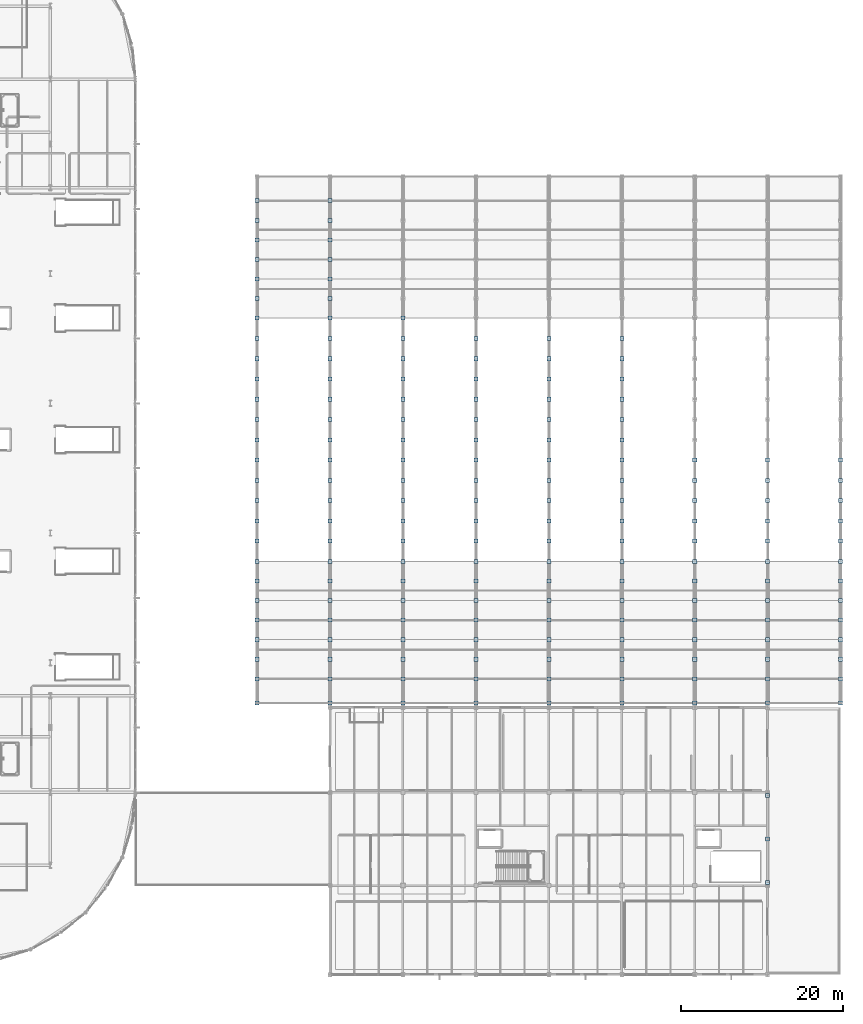
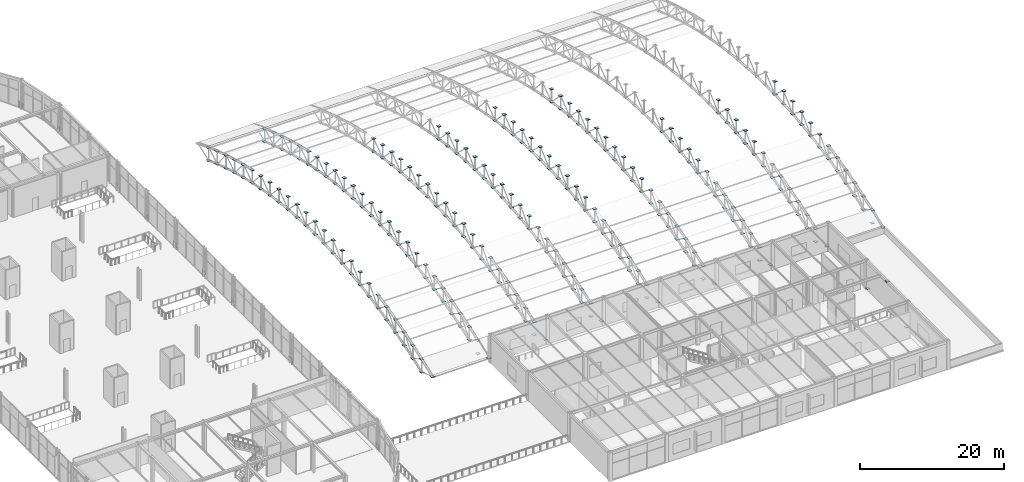
# One storey, part 106 of 195: 330 plates.
"""IFC4 building model written with IfcOpenShell, lengths in metres."""

from ifc_helpers import new_model, si_unit, direction, frame, origin, origin_2d, place, context, subcontext, project, spatial, rectangle, extrude, material, layer, layer_set, type_object, element, save


model = new_model("IFC4")

# Units and contexts
model_context = context("Model", 3, precision=1e-05, world=origin(), true_north=direction((0.0, 1.0)))
body_context = subcontext(model_context, "Body", "Model", "MODEL_VIEW")
ifc_project = project(units=[si_unit("LENGTHUNIT", "METRE"), si_unit("AREAUNIT", "SQUARE_METRE"), si_unit("VOLUMEUNIT", "CUBIC_METRE"), si_unit("PLANEANGLEUNIT", "RADIAN"), si_unit("MASSUNIT", "GRAM", prefix="KILO")], contexts=[model_context])

# Site, building, storey
site_placement = place(None, origin())
site = spatial("IfcSite", under=ifc_project, at=site_placement, CompositionType="ELEMENT")
building_placement = place(site_placement, origin())
building = spatial("IfcBuilding", under=site, at=building_placement, Name="Marlcrest Central Station", CompositionType="ELEMENT")
storey_placement = place(building_placement, frame((0.0, 0.0, 9.800048828125)))
storey = spatial("IfcBuildingStorey", under=building, at=storey_placement, Name="L02", CompositionType="ELEMENT", Elevation=9.800048828125)

# Plates
ifc_material = material(Name="Steel S355", Category="steel")
ifc_layer = layer(ifc_material, 0.02001953125, Name="GP-03")
ifc_layer_set = layer_set([ifc_layer], Name="Steel S355")
plate_type = type_object("IfcPlateType", Name="GP-03", PredefinedType="USERDEFINED", material=ifc_layer_set)
for number, where, z_axis, x_axis, name in (
    (1, (207.0, 11.39990234375, 0.18994140625), (0.0, 0.0, 1.0), (1.0, 0.0, 0.0), "plt-cap-00065"),
    (2, (207.0, 16.75, 4.659912109375), (0.0, 0.0, 1.0), (1.0, 0.0, 0.0), "plt-cap-00066"),
    (3, (207.0, 22.10009765625, 0.18994140625), (0.0, 0.0, 1.0), (1.0, 0.0, 0.0), "plt-cap-00067"),
    (4, (144.0, 33.5, 0.435791015625), (0.0, 0.0, 1.0), (1.0, 0.0, 0.0), "plt-cap-00581"),
    (5, (144.0, 36.5, 1.58984375), (0.0, 0.0, 1.0), (1.0, 0.0, 0.0), "plt-cap-00582"),
    (6, (144.0, 36.5, -0.610107421875), (0.0, 0.0, 1.0), (1.0, 0.0, 0.0), "plt-cap-00583"),
    (7, (144.0, 38.919921875, 0.239501953125), (0.0, 0.0, 1.0), (1.0, 0.0, 0.0), "plt-cap-00584"),
    (8, (144.0, 38.919921875, 2.439453125), (0.0, 0.0, 1.0), (1.0, 0.0, 0.0), "plt-cap-00585"),
    (9, (144.0, 41.330078125, 3.21337890625), (0.0, 0.0, 1.0), (1.0, 0.0, 0.0), "plt-cap-00586"),
    (10, (144.0, 41.330078125, 1.013427734375), (0.0, 0.0, 1.0), (1.0, 0.0, 0.0), "plt-cap-00587"),
    (11, (144.0, 43.75, 1.718017578125), (0.0, 0.0, 1.0), (1.0, 0.0, 0.0), "plt-cap-00588"),
    (12, (144.0, 43.75, 3.91796875), (0.0, 0.0, 1.0), (1.0, 0.0, 0.0), "plt-cap-00589"),
    (13, (144.0, 46.169921875, 4.550048828125), (0.0, 0.0, 1.0), (1.0, 0.0, 0.0), "plt-cap-00590"),
    (14, (144.0, 46.169921875, 2.349853515625), (0.0, 0.0, 1.0), (1.0, 0.0, 0.0), "plt-cap-00591"),
    (15, (144.0, 48.580078125, 2.906982421875), (0.0, 0.0, 1.0), (1.0, 0.0, 0.0), "plt-cap-00592"),
    (16, (144.0, 48.580078125, 5.10693359375), (0.0, 0.0, 1.0), (1.0, 0.0, 0.0), "plt-cap-00593"),
    (17, (144.0, 51.0, 5.59375), (0.0, 0.0, 1.0), (1.0, 0.0, 0.0), "plt-cap-00594"),
    (18, (144.0, 51.0, 3.393798828125), (0.0, 0.0, 1.0), (1.0, 0.0, 0.0), "plt-cap-00595"),
    (19, (144.0, 53.5, 3.820556640625), (0.0, 0.0, 1.0), (1.0, 0.0, 0.0), "plt-cap-00596"),
    (20, (144.0, 53.5, 6.0205078125), (0.0, 0.0, 1.0), (1.0, 0.0, 0.0), "plt-cap-00597"),
    (21, (144.0, 56.0, 6.369384765625), (0.0, 0.0, 1.0), (1.0, 0.0, 0.0), "plt-cap-00598"),
    (22, (144.0, 56.0, 4.16943359375), (0.0, 0.0, 1.0), (1.0, 0.0, 0.0), "plt-cap-00599"),
    (23, (144.0, 58.5, 4.44091796875), (0.0, 0.0, 1.0), (1.0, 0.0, 0.0), "plt-cap-00600"),
    (24, (144.0, 58.5, 6.640869140625), (0.0, 0.0, 1.0), (1.0, 0.0, 0.0), "plt-cap-00601"),
    (25, (144.0, 61.0, 6.8349609375), (0.0, 0.0, 1.0), (1.0, 0.0, 0.0), "plt-cap-00602"),
    (26, (144.0, 61.0, 4.634765625), (0.0, 0.0, 1.0), (1.0, 0.0, 0.0), "plt-cap-00603"),
    (27, (144.0, 63.5, 4.751220703125), (0.0, 0.0, 1.0), (1.0, 0.0, 0.0), "plt-cap-00604"),
    (28, (144.0, 63.5, 6.951171875), (0.0, 0.0, 1.0), (1.0, 0.0, 0.0), "plt-cap-00605"),
    (29, (144.0, 66.0, 6.989990234375), (0.0, 0.0, 1.0), (1.0, 0.0, 0.0), "plt-cap-00606"),
    (30, (144.0, 66.0, 4.7900390625), (0.0, 0.0, 1.0), (1.0, 0.0, 0.0), "plt-cap-00607"),
    (31, (144.0, 68.5, 4.751220703125), (0.0, 0.0, 1.0), (1.0, 0.0, 0.0), "plt-cap-00608"),
    (32, (144.0, 68.5, 6.951171875), (0.0, 0.0, 1.0), (1.0, 0.0, 0.0), "plt-cap-00609"),
    (33, (144.0, 71.0, 6.8349609375), (0.0, 0.0, 1.0), (1.0, 0.0, 0.0), "plt-cap-00610"),
    (34, (144.0, 71.0, 4.634765625), (0.0, 0.0, 1.0), (1.0, 0.0, 0.0), "plt-cap-00611"),
    (35, (144.0, 73.5, 4.44091796875), (0.0, 0.0, 1.0), (1.0, 0.0, 0.0), "plt-cap-00612"),
    (36, (144.0, 73.5, 6.640869140625), (0.0, 0.0, 1.0), (1.0, 0.0, 0.0), "plt-cap-00613"),
    (37, (144.0, 76.0, 6.369384765625), (0.0, 0.0, 1.0), (1.0, 0.0, 0.0), "plt-cap-00614"),
    (38, (144.0, 76.0, 4.16943359375), (0.0, 0.0, 1.0), (1.0, 0.0, 0.0), "plt-cap-00615"),
    (39, (144.0, 78.5, 3.820556640625), (0.0, 0.0, 1.0), (1.0, 0.0, 0.0), "plt-cap-00616"),
    (40, (144.0, 78.5, 6.0205078125), (0.0, 0.0, 1.0), (1.0, 0.0, 0.0), "plt-cap-00617"),
    (41, (144.0, 81.0, 5.59375), (0.0, 0.0, 1.0), (1.0, 0.0, 0.0), "plt-cap-00618"),
    (42, (144.0, 81.0, 3.393798828125), (0.0, 0.0, 1.0), (1.0, 0.0, 0.0), "plt-cap-00619"),
    (43, (144.0, 83.419921875, 2.906982421875), (0.0, 0.0, 1.0), (1.0, 0.0, 0.0), "plt-cap-00620"),
    (44, (144.0, 83.419921875, 5.10693359375), (0.0, 0.0, 1.0), (1.0, 0.0, 0.0), "plt-cap-00621"),
    (45, (144.0, 85.830078125, 4.550048828125), (0.0, 0.0, 1.0), (1.0, 0.0, 0.0), "plt-cap-00622"),
    (46, (144.0, 85.830078125, 2.349853515625), (0.0, 0.0, 1.0), (1.0, 0.0, 0.0), "plt-cap-00623"),
    (47, (144.0, 88.25, 1.718017578125), (0.0, 0.0, 1.0), (1.0, 0.0, 0.0), "plt-cap-00624"),
    (48, (144.0, 88.25, 3.91796875), (0.0, 0.0, 1.0), (1.0, 0.0, 0.0), "plt-cap-00625"),
    (49, (144.0, 90.669921875, 3.21337890625), (0.0, 0.0, 1.0), (1.0, 0.0, 0.0), "plt-cap-00626"),
    (50, (144.0, 90.669921875, 1.013427734375), (0.0, 0.0, 1.0), (1.0, 0.0, 0.0), "plt-cap-00627"),
    (51, (144.0, 93.080078125, 0.239501953125), (0.0, 0.0, 1.0), (1.0, 0.0, 0.0), "plt-cap-00628"),
    (52, (144.0, 95.5, -0.610107421875), (0.0, 0.0, 1.0), (1.0, 0.0, 0.0), "plt-cap-00629"),
    (53, (144.0, 93.080078125, 2.439453125), (0.0, 0.0, 1.0), (1.0, 0.0, 0.0), "plt-cap-00630"),
    (54, (144.0, 95.5, 1.58984375), (0.0, 0.0, 1.0), (1.0, 0.0, 0.0), "plt-cap-00631"),
    (55, (153.0, 33.5, 0.435791015625), (0.0, 0.0, 1.0), (1.0, 0.0, 0.0), "plt-cap-00633"),
    (56, (153.0, 36.5, 1.58984375), (0.0, 0.0, 1.0), (1.0, 0.0, 0.0), "plt-cap-00634"),
    (57, (153.0, 36.5, -0.610107421875), (0.0, 0.0, 1.0), (1.0, 0.0, 0.0), "plt-cap-00635"),
    (58, (153.0, 38.919921875, 0.239501953125), (0.0, 0.0, 1.0), (1.0, 0.0, 0.0), "plt-cap-00636"),
    (59, (153.0, 38.919921875, 2.439453125), (0.0, 0.0, 1.0), (1.0, 0.0, 0.0), "plt-cap-00637"),
    (60, (153.0, 41.330078125, 3.21337890625), (0.0, 0.0, 1.0), (1.0, 0.0, 0.0), "plt-cap-00638"),
    (61, (153.0, 41.330078125, 1.013427734375), (0.0, 0.0, 1.0), (1.0, 0.0, 0.0), "plt-cap-00639"),
    (62, (153.0, 43.75, 1.718017578125), (0.0, 0.0, 1.0), (1.0, 0.0, 0.0), "plt-cap-00640"),
    (63, (153.0, 43.75, 3.91796875), (0.0, 0.0, 1.0), (1.0, 0.0, 0.0), "plt-cap-00641"),
    (64, (153.0, 46.169921875, 4.550048828125), (0.0, 0.0, 1.0), (1.0, 0.0, 0.0), "plt-cap-00642"),
    (65, (153.0, 46.169921875, 2.349853515625), (0.0, 0.0, 1.0), (1.0, 0.0, 0.0), "plt-cap-00643"),
    (66, (153.0, 48.580078125, 2.906982421875), (0.0, 0.0, 1.0), (1.0, 0.0, 0.0), "plt-cap-00644"),
    (67, (153.0, 48.580078125, 5.10693359375), (0.0, 0.0, 1.0), (1.0, 0.0, 0.0), "plt-cap-00645"),
    (68, (153.0, 51.0, 5.59375), (0.0, 0.0, 1.0), (1.0, 0.0, 0.0), "plt-cap-00646"),
    (69, (153.0, 51.0, 3.393798828125), (0.0, 0.0, 1.0), (1.0, 0.0, 0.0), "plt-cap-00647"),
    (70, (153.0, 53.5, 3.820556640625), (0.0, 0.0, 1.0), (1.0, 0.0, 0.0), "plt-cap-00648"),
    (71, (153.0, 53.5, 6.0205078125), (0.0, 0.0, 1.0), (1.0, 0.0, 0.0), "plt-cap-00649"),
    (72, (153.0, 56.0, 6.369384765625), (0.0, 0.0, 1.0), (1.0, 0.0, 0.0), "plt-cap-00650"),
    (73, (153.0, 56.0, 4.16943359375), (0.0, 0.0, 1.0), (1.0, 0.0, 0.0), "plt-cap-00651"),
    (74, (153.0, 58.5, 4.44091796875), (0.0, 0.0, 1.0), (1.0, 0.0, 0.0), "plt-cap-00652"),
    (75, (153.0, 58.5, 6.640869140625), (0.0, 0.0, 1.0), (1.0, 0.0, 0.0), "plt-cap-00653"),
    (76, (153.0, 61.0, 6.8349609375), (0.0, 0.0, 1.0), (1.0, 0.0, 0.0), "plt-cap-00654"),
    (77, (153.0, 61.0, 4.634765625), (0.0, 0.0, 1.0), (1.0, 0.0, 0.0), "plt-cap-00655"),
    (78, (153.0, 63.5, 4.751220703125), (0.0, 0.0, 1.0), (1.0, 0.0, 0.0), "plt-cap-00656"),
    (79, (153.0, 63.5, 6.951171875), (0.0, 0.0, 1.0), (1.0, 0.0, 0.0), "plt-cap-00657"),
    (80, (153.0, 66.0, 6.989990234375), (0.0, 0.0, 1.0), (1.0, 0.0, 0.0), "plt-cap-00658"),
    (81, (153.0, 66.0, 4.7900390625), (0.0, 0.0, 1.0), (1.0, 0.0, 0.0), "plt-cap-00659"),
    (82, (153.0, 68.5, 4.751220703125), (0.0, 0.0, 1.0), (1.0, 0.0, 0.0), "plt-cap-00660"),
    (83, (153.0, 68.5, 6.951171875), (0.0, 0.0, 1.0), (1.0, 0.0, 0.0), "plt-cap-00661"),
    (84, (153.0, 71.0, 6.8349609375), (0.0, 0.0, 1.0), (1.0, 0.0, 0.0), "plt-cap-00662"),
    (85, (153.0, 71.0, 4.634765625), (0.0, 0.0, 1.0), (1.0, 0.0, 0.0), "plt-cap-00663"),
    (86, (153.0, 73.5, 4.44091796875), (0.0, 0.0, 1.0), (1.0, 0.0, 0.0), "plt-cap-00664"),
    (87, (153.0, 73.5, 6.640869140625), (0.0, 0.0, 1.0), (1.0, 0.0, 0.0), "plt-cap-00665"),
    (88, (153.0, 76.0, 6.369384765625), (0.0, 0.0, 1.0), (1.0, 0.0, 0.0), "plt-cap-00666"),
    (89, (153.0, 76.0, 4.16943359375), (0.0, 0.0, 1.0), (1.0, 0.0, 0.0), "plt-cap-00667"),
    (90, (153.0, 78.5, 3.820556640625), (0.0, 0.0, 1.0), (1.0, 0.0, 0.0), "plt-cap-00668"),
    (91, (153.0, 78.5, 6.0205078125), (0.0, 0.0, 1.0), (1.0, 0.0, 0.0), "plt-cap-00669"),
    (92, (153.0, 81.0, 5.59375), (0.0, 0.0, 1.0), (1.0, 0.0, 0.0), "plt-cap-00670"),
    (93, (153.0, 81.0, 3.393798828125), (0.0, 0.0, 1.0), (1.0, 0.0, 0.0), "plt-cap-00671"),
    (94, (153.0, 83.419921875, 2.906982421875), (0.0, 0.0, 1.0), (1.0, 0.0, 0.0), "plt-cap-00672"),
    (95, (153.0, 83.419921875, 5.10693359375), (0.0, 0.0, 1.0), (1.0, 0.0, 0.0), "plt-cap-00673"),
    (96, (153.0, 85.830078125, 4.550048828125), (0.0, 0.0, 1.0), (1.0, 0.0, 0.0), "plt-cap-00674"),
    (97, (153.0, 85.830078125, 2.349853515625), (0.0, 0.0, 1.0), (1.0, 0.0, 0.0), "plt-cap-00675"),
    (98, (153.0, 88.25, 1.718017578125), (0.0, 0.0, 1.0), (1.0, 0.0, 0.0), "plt-cap-00676"),
    (99, (153.0, 88.25, 3.91796875), (0.0, 0.0, 1.0), (1.0, 0.0, 0.0), "plt-cap-00677"),
    (100, (153.0, 90.669921875, 3.21337890625), (0.0, 0.0, 1.0), (1.0, 0.0, 0.0), "plt-cap-00678"),
    (101, (153.0, 90.669921875, 1.013427734375), (0.0, 0.0, 1.0), (1.0, 0.0, 0.0), "plt-cap-00679"),
    (102, (153.0, 93.080078125, 0.239501953125), (0.0, 0.0, 1.0), (1.0, 0.0, 0.0), "plt-cap-00680"),
    (103, (153.0, 95.5, -0.610107421875), (0.0, 0.0, 1.0), (1.0, 0.0, 0.0), "plt-cap-00681"),
    (104, (153.0, 93.080078125, 2.439453125), (0.0, 0.0, 1.0), (1.0, 0.0, 0.0), "plt-cap-00682"),
    (105, (153.0, 95.5, 1.58984375), (0.0, 0.0, 1.0), (1.0, 0.0, 0.0), "plt-cap-00683"),
    (106, (162.0, 33.5, 0.435791015625), (0.0, 0.0, 1.0), (1.0, 0.0, 0.0), "plt-cap-00685"),
    (107, (162.0, 36.5, 1.58984375), (0.0, 0.0, 1.0), (1.0, 0.0, 0.0), "plt-cap-00686"),
    (108, (162.0, 36.5, -0.610107421875), (0.0, 0.0, 1.0), (1.0, 0.0, 0.0), "plt-cap-00687"),
    (109, (162.0, 38.919921875, 0.239501953125), (0.0, 0.0, 1.0), (1.0, 0.0, 0.0), "plt-cap-00688"),
    (110, (162.0, 38.919921875, 2.439453125), (0.0, 0.0, 1.0), (1.0, 0.0, 0.0), "plt-cap-00689"),
    (111, (162.0, 41.330078125, 3.21337890625), (0.0, 0.0, 1.0), (1.0, 0.0, 0.0), "plt-cap-00690"),
    (112, (162.0, 41.330078125, 1.013427734375), (0.0, 0.0, 1.0), (1.0, 0.0, 0.0), "plt-cap-00691"),
    (113, (162.0, 43.75, 1.718017578125), (0.0, 0.0, 1.0), (1.0, 0.0, 0.0), "plt-cap-00692"),
    (114, (162.0, 43.75, 3.91796875), (0.0, 0.0, 1.0), (1.0, 0.0, 0.0), "plt-cap-00693"),
    (115, (162.0, 46.169921875, 4.550048828125), (0.0, 0.0, 1.0), (1.0, 0.0, 0.0), "plt-cap-00694"),
    (116, (162.0, 46.169921875, 2.349853515625), (0.0, 0.0, 1.0), (1.0, 0.0, 0.0), "plt-cap-00695"),
    (117, (162.0, 48.580078125, 2.906982421875), (0.0, 0.0, 1.0), (1.0, 0.0, 0.0), "plt-cap-00696"),
    (118, (162.0, 48.580078125, 5.10693359375), (0.0, 0.0, 1.0), (1.0, 0.0, 0.0), "plt-cap-00697"),
    (119, (162.0, 51.0, 5.59375), (0.0, 0.0, 1.0), (1.0, 0.0, 0.0), "plt-cap-00698"),
    (120, (162.0, 51.0, 3.393798828125), (0.0, 0.0, 1.0), (1.0, 0.0, 0.0), "plt-cap-00699"),
    (121, (162.0, 53.5, 3.820556640625), (0.0, 0.0, 1.0), (1.0, 0.0, 0.0), "plt-cap-00700"),
    (122, (162.0, 53.5, 6.0205078125), (0.0, 0.0, 1.0), (1.0, 0.0, 0.0), "plt-cap-00701"),
    (123, (162.0, 56.0, 6.369384765625), (0.0, 0.0, 1.0), (1.0, 0.0, 0.0), "plt-cap-00702"),
    (124, (162.0, 56.0, 4.16943359375), (0.0, 0.0, 1.0), (1.0, 0.0, 0.0), "plt-cap-00703"),
    (125, (162.0, 58.5, 4.44091796875), (0.0, 0.0, 1.0), (1.0, 0.0, 0.0), "plt-cap-00704"),
    (126, (162.0, 58.5, 6.640869140625), (0.0, 0.0, 1.0), (1.0, 0.0, 0.0), "plt-cap-00705"),
    (127, (162.0, 61.0, 6.8349609375), (0.0, 0.0, 1.0), (1.0, 0.0, 0.0), "plt-cap-00706"),
    (128, (162.0, 61.0, 4.634765625), (0.0, 0.0, 1.0), (1.0, 0.0, 0.0), "plt-cap-00707"),
    (129, (162.0, 63.5, 4.751220703125), (0.0, 0.0, 1.0), (1.0, 0.0, 0.0), "plt-cap-00708"),
    (130, (162.0, 63.5, 6.951171875), (0.0, 0.0, 1.0), (1.0, 0.0, 0.0), "plt-cap-00709"),
    (131, (162.0, 66.0, 6.989990234375), (0.0, 0.0, 1.0), (1.0, 0.0, 0.0), "plt-cap-00710"),
    (132, (162.0, 66.0, 4.7900390625), (0.0, 0.0, 1.0), (1.0, 0.0, 0.0), "plt-cap-00711"),
    (133, (162.0, 68.5, 4.751220703125), (0.0, 0.0, 1.0), (1.0, 0.0, 0.0), "plt-cap-00712"),
    (134, (162.0, 68.5, 6.951171875), (0.0, 0.0, 1.0), (1.0, 0.0, 0.0), "plt-cap-00713"),
    (135, (162.0, 71.0, 6.8349609375), (0.0, 0.0, 1.0), (1.0, 0.0, 0.0), "plt-cap-00714"),
    (136, (162.0, 71.0, 4.634765625), (0.0, 0.0, 1.0), (1.0, 0.0, 0.0), "plt-cap-00715"),
    (137, (162.0, 73.5, 4.44091796875), (0.0, 0.0, 1.0), (1.0, 0.0, 0.0), "plt-cap-00716"),
    (138, (162.0, 73.5, 6.640869140625), (0.0, 0.0, 1.0), (1.0, 0.0, 0.0), "plt-cap-00717"),
    (139, (162.0, 76.0, 6.369384765625), (0.0, 0.0, 1.0), (1.0, 0.0, 0.0), "plt-cap-00718"),
    (140, (162.0, 76.0, 4.16943359375), (0.0, 0.0, 1.0), (1.0, 0.0, 0.0), "plt-cap-00719"),
    (141, (162.0, 78.5, 3.820556640625), (0.0, 0.0, 1.0), (1.0, 0.0, 0.0), "plt-cap-00720"),
    (142, (162.0, 78.5, 6.0205078125), (0.0, 0.0, 1.0), (1.0, 0.0, 0.0), "plt-cap-00721"),
    (143, (162.0, 81.0, 5.59375), (0.0, 0.0, 1.0), (1.0, 0.0, 0.0), "plt-cap-00722"),
    (144, (162.0, 81.0, 3.393798828125), (0.0, 0.0, 1.0), (1.0, 0.0, 0.0), "plt-cap-00723"),
    (145, (171.0, 33.5, 0.435791015625), (0.0, 0.0, 1.0), (1.0, 0.0, 0.0), "plt-cap-00737"),
    (146, (171.0, 36.5, 1.58984375), (0.0, 0.0, 1.0), (1.0, 0.0, 0.0), "plt-cap-00738"),
    (147, (171.0, 36.5, -0.610107421875), (0.0, 0.0, 1.0), (1.0, 0.0, 0.0), "plt-cap-00739"),
    (148, (171.0, 38.919921875, 0.239501953125), (0.0, 0.0, 1.0), (1.0, 0.0, 0.0), "plt-cap-00740"),
    (149, (171.0, 38.919921875, 2.439453125), (0.0, 0.0, 1.0), (1.0, 0.0, 0.0), "plt-cap-00741"),
    (150, (171.0, 41.330078125, 3.21337890625), (0.0, 0.0, 1.0), (1.0, 0.0, 0.0), "plt-cap-00742"),
    (151, (171.0, 41.330078125, 1.013427734375), (0.0, 0.0, 1.0), (1.0, 0.0, 0.0), "plt-cap-00743"),
    (152, (171.0, 43.75, 1.718017578125), (0.0, 0.0, 1.0), (1.0, 0.0, 0.0), "plt-cap-00744"),
    (153, (171.0, 43.75, 3.91796875), (0.0, 0.0, 1.0), (1.0, 0.0, 0.0), "plt-cap-00745"),
    (154, (171.0, 46.169921875, 4.550048828125), (0.0, 0.0, 1.0), (1.0, 0.0, 0.0), "plt-cap-00746"),
    (155, (171.0, 46.169921875, 2.349853515625), (0.0, 0.0, 1.0), (1.0, 0.0, 0.0), "plt-cap-00747"),
    (156, (171.0, 48.580078125, 2.906982421875), (0.0, 0.0, 1.0), (1.0, 0.0, 0.0), "plt-cap-00748"),
    (157, (171.0, 48.580078125, 5.10693359375), (0.0, 0.0, 1.0), (1.0, 0.0, 0.0), "plt-cap-00749"),
    (158, (171.0, 51.0, 5.59375), (0.0, 0.0, 1.0), (1.0, 0.0, 0.0), "plt-cap-00750"),
    (159, (171.0, 51.0, 3.393798828125), (0.0, 0.0, 1.0), (1.0, 0.0, 0.0), "plt-cap-00751"),
    (160, (171.0, 53.5, 3.820556640625), (0.0, 0.0, 1.0), (1.0, 0.0, 0.0), "plt-cap-00752"),
    (161, (171.0, 53.5, 6.0205078125), (0.0, 0.0, 1.0), (1.0, 0.0, 0.0), "plt-cap-00753"),
    (162, (171.0, 56.0, 6.369384765625), (0.0, 0.0, 1.0), (1.0, 0.0, 0.0), "plt-cap-00754"),
    (163, (171.0, 56.0, 4.16943359375), (0.0, 0.0, 1.0), (1.0, 0.0, 0.0), "plt-cap-00755"),
    (164, (171.0, 58.5, 4.44091796875), (0.0, 0.0, 1.0), (1.0, 0.0, 0.0), "plt-cap-00756"),
    (165, (171.0, 58.5, 6.640869140625), (0.0, 0.0, 1.0), (1.0, 0.0, 0.0), "plt-cap-00757"),
    (166, (171.0, 61.0, 6.8349609375), (0.0, 0.0, 1.0), (1.0, 0.0, 0.0), "plt-cap-00758"),
    (167, (171.0, 61.0, 4.634765625), (0.0, 0.0, 1.0), (1.0, 0.0, 0.0), "plt-cap-00759"),
    (168, (171.0, 63.5, 4.751220703125), (0.0, 0.0, 1.0), (1.0, 0.0, 0.0), "plt-cap-00760"),
    (169, (171.0, 63.5, 6.951171875), (0.0, 0.0, 1.0), (1.0, 0.0, 0.0), "plt-cap-00761"),
    (170, (171.0, 66.0, 6.989990234375), (0.0, 0.0, 1.0), (1.0, 0.0, 0.0), "plt-cap-00762"),
    (171, (171.0, 66.0, 4.7900390625), (0.0, 0.0, 1.0), (1.0, 0.0, 0.0), "plt-cap-00763"),
    (172, (171.0, 68.5, 4.751220703125), (0.0, 0.0, 1.0), (1.0, 0.0, 0.0), "plt-cap-00764"),
    (173, (171.0, 68.5, 6.951171875), (0.0, 0.0, 1.0), (1.0, 0.0, 0.0), "plt-cap-00765"),
    (174, (171.0, 71.0, 6.8349609375), (0.0, 0.0, 1.0), (1.0, 0.0, 0.0), "plt-cap-00766"),
    (175, (171.0, 71.0, 4.634765625), (0.0, 0.0, 1.0), (1.0, 0.0, 0.0), "plt-cap-00767"),
    (176, (171.0, 73.5, 4.44091796875), (0.0, 0.0, 1.0), (1.0, 0.0, 0.0), "plt-cap-00768"),
    (177, (171.0, 73.5, 6.640869140625), (0.0, 0.0, 1.0), (1.0, 0.0, 0.0), "plt-cap-00769"),
    (178, (171.0, 76.0, 6.369384765625), (0.0, 0.0, 1.0), (1.0, 0.0, 0.0), "plt-cap-00770"),
    (179, (171.0, 76.0, 4.16943359375), (0.0, 0.0, 1.0), (1.0, 0.0, 0.0), "plt-cap-00771"),
    (180, (171.0, 78.5, 3.820556640625), (0.0, 0.0, 1.0), (1.0, 0.0, 0.0), "plt-cap-00772"),
    (181, (171.0, 78.5, 6.0205078125), (0.0, 0.0, 1.0), (1.0, 0.0, 0.0), "plt-cap-00773"),
    (182, (180.0, 33.5, 0.435791015625), (0.0, 0.0, 1.0), (1.0, 0.0, 0.0), "plt-cap-00789"),
    (183, (180.0, 36.5, 1.58984375), (0.0, 0.0, 1.0), (1.0, 0.0, 0.0), "plt-cap-00790"),
    (184, (180.0, 36.5, -0.610107421875), (0.0, 0.0, 1.0), (1.0, 0.0, 0.0), "plt-cap-00791"),
    (185, (180.0, 38.919921875, 0.239501953125), (0.0, 0.0, 1.0), (1.0, 0.0, 0.0), "plt-cap-00792"),
    (186, (180.0, 38.919921875, 2.439453125), (0.0, 0.0, 1.0), (1.0, 0.0, 0.0), "plt-cap-00793"),
    (187, (180.0, 41.330078125, 3.21337890625), (0.0, 0.0, 1.0), (1.0, 0.0, 0.0), "plt-cap-00794"),
    (188, (180.0, 41.330078125, 1.013427734375), (0.0, 0.0, 1.0), (1.0, 0.0, 0.0), "plt-cap-00795"),
    (189, (180.0, 43.75, 1.718017578125), (0.0, 0.0, 1.0), (1.0, 0.0, 0.0), "plt-cap-00796"),
    (190, (180.0, 43.75, 3.91796875), (0.0, 0.0, 1.0), (1.0, 0.0, 0.0), "plt-cap-00797"),
    (191, (180.0, 46.169921875, 4.550048828125), (0.0, 0.0, 1.0), (1.0, 0.0, 0.0), "plt-cap-00798"),
    (192, (180.0, 46.169921875, 2.349853515625), (0.0, 0.0, 1.0), (1.0, 0.0, 0.0), "plt-cap-00799"),
    (193, (180.0, 48.580078125, 2.906982421875), (0.0, 0.0, 1.0), (1.0, 0.0, 0.0), "plt-cap-00800"),
    (194, (180.0, 48.580078125, 5.10693359375), (0.0, 0.0, 1.0), (1.0, 0.0, 0.0), "plt-cap-00801"),
    (195, (180.0, 51.0, 5.59375), (0.0, 0.0, 1.0), (1.0, 0.0, 0.0), "plt-cap-00802"),
    (196, (180.0, 51.0, 3.393798828125), (0.0, 0.0, 1.0), (1.0, 0.0, 0.0), "plt-cap-00803"),
    (197, (180.0, 53.5, 3.820556640625), (0.0, 0.0, 1.0), (1.0, 0.0, 0.0), "plt-cap-00804"),
    (198, (180.0, 53.5, 6.0205078125), (0.0, 0.0, 1.0), (1.0, 0.0, 0.0), "plt-cap-00805"),
    (199, (180.0, 56.0, 6.369384765625), (0.0, 0.0, 1.0), (1.0, 0.0, 0.0), "plt-cap-00806"),
    (200, (180.0, 56.0, 4.16943359375), (0.0, 0.0, 1.0), (1.0, 0.0, 0.0), "plt-cap-00807"),
    (201, (180.0, 58.5, 4.44091796875), (0.0, 0.0, 1.0), (1.0, 0.0, 0.0), "plt-cap-00808"),
    (202, (180.0, 58.5, 6.640869140625), (0.0, 0.0, 1.0), (1.0, 0.0, 0.0), "plt-cap-00809"),
    (203, (180.0, 61.0, 6.8349609375), (0.0, 0.0, 1.0), (1.0, 0.0, 0.0), "plt-cap-00810"),
    (204, (180.0, 61.0, 4.634765625), (0.0, 0.0, 1.0), (1.0, 0.0, 0.0), "plt-cap-00811"),
    (205, (180.0, 63.5, 4.751220703125), (0.0, 0.0, 1.0), (1.0, 0.0, 0.0), "plt-cap-00812"),
    (206, (180.0, 63.5, 6.951171875), (0.0, 0.0, 1.0), (1.0, 0.0, 0.0), "plt-cap-00813"),
    (207, (180.0, 66.0, 6.989990234375), (0.0, 0.0, 1.0), (1.0, 0.0, 0.0), "plt-cap-00814"),
    (208, (180.0, 66.0, 4.7900390625), (0.0, 0.0, 1.0), (1.0, 0.0, 0.0), "plt-cap-00815"),
    (209, (180.0, 68.5, 4.751220703125), (0.0, 0.0, 1.0), (1.0, 0.0, 0.0), "plt-cap-00816"),
    (210, (180.0, 68.5, 6.951171875), (0.0, 0.0, 1.0), (1.0, 0.0, 0.0), "plt-cap-00817"),
    (211, (180.0, 71.0, 6.8349609375), (0.0, 0.0, 1.0), (1.0, 0.0, 0.0), "plt-cap-00818"),
    (212, (180.0, 71.0, 4.634765625), (0.0, 0.0, 1.0), (1.0, 0.0, 0.0), "plt-cap-00819"),
    (213, (180.0, 73.5, 4.44091796875), (0.0, 0.0, 1.0), (1.0, 0.0, 0.0), "plt-cap-00820"),
    (214, (180.0, 73.5, 6.640869140625), (0.0, 0.0, 1.0), (1.0, 0.0, 0.0), "plt-cap-00821"),
    (215, (180.0, 76.0, 6.369384765625), (0.0, 0.0, 1.0), (1.0, 0.0, 0.0), "plt-cap-00822"),
    (216, (180.0, 76.0, 4.16943359375), (0.0, 0.0, 1.0), (1.0, 0.0, 0.0), "plt-cap-00823"),
    (217, (180.0, 78.5, 3.820556640625), (0.0, 0.0, 1.0), (1.0, 0.0, 0.0), "plt-cap-00824"),
    (218, (180.0, 78.5, 6.0205078125), (0.0, 0.0, 1.0), (1.0, 0.0, 0.0), "plt-cap-00825"),
    (219, (189.0, 33.5, 0.435791015625), (0.0, 0.0, 1.0), (1.0, 0.0, 0.0), "plt-cap-00841"),
    (220, (189.0, 36.5, 1.58984375), (0.0, 0.0, 1.0), (1.0, 0.0, 0.0), "plt-cap-00842"),
    (221, (189.0, 36.5, -0.610107421875), (0.0, 0.0, 1.0), (1.0, 0.0, 0.0), "plt-cap-00843"),
    (222, (189.0, 38.919921875, 0.239501953125), (0.0, 0.0, 1.0), (1.0, 0.0, 0.0), "plt-cap-00844"),
    (223, (189.0, 38.919921875, 2.439453125), (0.0, 0.0, 1.0), (1.0, 0.0, 0.0), "plt-cap-00845"),
    (224, (189.0, 41.330078125, 3.21337890625), (0.0, 0.0, 1.0), (1.0, 0.0, 0.0), "plt-cap-00846"),
    (225, (189.0, 41.330078125, 1.013427734375), (0.0, 0.0, 1.0), (1.0, 0.0, 0.0), "plt-cap-00847"),
    (226, (189.0, 43.75, 1.718017578125), (0.0, 0.0, 1.0), (1.0, 0.0, 0.0), "plt-cap-00848"),
    (227, (189.0, 43.75, 3.91796875), (0.0, 0.0, 1.0), (1.0, 0.0, 0.0), "plt-cap-00849"),
    (228, (189.0, 46.169921875, 4.550048828125), (0.0, 0.0, 1.0), (1.0, 0.0, 0.0), "plt-cap-00850"),
    (229, (189.0, 46.169921875, 2.349853515625), (0.0, 0.0, 1.0), (1.0, 0.0, 0.0), "plt-cap-00851"),
    (230, (189.0, 48.580078125, 2.906982421875), (0.0, 0.0, 1.0), (1.0, 0.0, 0.0), "plt-cap-00852"),
    (231, (189.0, 48.580078125, 5.10693359375), (0.0, 0.0, 1.0), (1.0, 0.0, 0.0), "plt-cap-00853"),
    (232, (189.0, 51.0, 5.59375), (0.0, 0.0, 1.0), (1.0, 0.0, 0.0), "plt-cap-00854"),
    (233, (189.0, 51.0, 3.393798828125), (0.0, 0.0, 1.0), (1.0, 0.0, 0.0), "plt-cap-00855"),
    (234, (189.0, 53.5, 3.820556640625), (0.0, 0.0, 1.0), (1.0, 0.0, 0.0), "plt-cap-00856"),
    (235, (189.0, 53.5, 6.0205078125), (0.0, 0.0, 1.0), (1.0, 0.0, 0.0), "plt-cap-00857"),
    (236, (189.0, 56.0, 6.369384765625), (0.0, 0.0, 1.0), (1.0, 0.0, 0.0), "plt-cap-00858"),
    (237, (189.0, 56.0, 4.16943359375), (0.0, 0.0, 1.0), (1.0, 0.0, 0.0), "plt-cap-00859"),
    (238, (189.0, 58.5, 4.44091796875), (0.0, 0.0, 1.0), (1.0, 0.0, 0.0), "plt-cap-00860"),
    (239, (189.0, 58.5, 6.640869140625), (0.0, 0.0, 1.0), (1.0, 0.0, 0.0), "plt-cap-00861"),
    (240, (189.0, 61.0, 6.8349609375), (0.0, 0.0, 1.0), (1.0, 0.0, 0.0), "plt-cap-00862"),
    (241, (189.0, 61.0, 4.634765625), (0.0, 0.0, 1.0), (1.0, 0.0, 0.0), "plt-cap-00863"),
    (242, (189.0, 63.5, 4.751220703125), (0.0, 0.0, 1.0), (1.0, 0.0, 0.0), "plt-cap-00864"),
    (243, (189.0, 63.5, 6.951171875), (0.0, 0.0, 1.0), (1.0, 0.0, 0.0), "plt-cap-00865"),
    (244, (189.0, 66.0, 6.989990234375), (0.0, 0.0, 1.0), (1.0, 0.0, 0.0), "plt-cap-00866"),
    (245, (189.0, 66.0, 4.7900390625), (0.0, 0.0, 1.0), (1.0, 0.0, 0.0), "plt-cap-00867"),
    (246, (189.0, 68.5, 4.751220703125), (0.0, 0.0, 1.0), (1.0, 0.0, 0.0), "plt-cap-00868"),
    (247, (189.0, 68.5, 6.951171875), (0.0, 0.0, 1.0), (1.0, 0.0, 0.0), "plt-cap-00869"),
    (248, (189.0, 71.0, 6.8349609375), (0.0, 0.0, 1.0), (1.0, 0.0, 0.0), "plt-cap-00870"),
    (249, (189.0, 71.0, 4.634765625), (0.0, 0.0, 1.0), (1.0, 0.0, 0.0), "plt-cap-00871"),
    (250, (189.0, 73.5, 4.44091796875), (0.0, 0.0, 1.0), (1.0, 0.0, 0.0), "plt-cap-00872"),
    (251, (189.0, 73.5, 6.640869140625), (0.0, 0.0, 1.0), (1.0, 0.0, 0.0), "plt-cap-00873"),
    (252, (189.0, 76.0, 6.369384765625), (0.0, 0.0, 1.0), (1.0, 0.0, 0.0), "plt-cap-00874"),
    (253, (189.0, 76.0, 4.16943359375), (0.0, 0.0, 1.0), (1.0, 0.0, 0.0), "plt-cap-00875"),
    (254, (189.0, 78.5, 3.820556640625), (0.0, 0.0, 1.0), (1.0, 0.0, 0.0), "plt-cap-00876"),
    (255, (189.0, 78.5, 6.0205078125), (0.0, 0.0, 1.0), (1.0, 0.0, 0.0), "plt-cap-00877"),
    (256, (198.0, 33.5, 0.435791015625), (0.0, 0.0, 1.0), (1.0, 0.0, 0.0), "plt-cap-00893"),
    (257, (198.0, 36.5, 1.58984375), (0.0, 0.0, 1.0), (1.0, 0.0, 0.0), "plt-cap-00894"),
    (258, (198.0, 36.5, -0.610107421875), (0.0, 0.0, 1.0), (1.0, 0.0, 0.0), "plt-cap-00895"),
    (259, (198.0, 38.919921875, 0.239501953125), (0.0, 0.0, 1.0), (1.0, 0.0, 0.0), "plt-cap-00896"),
    (260, (198.0, 38.919921875, 2.439453125), (0.0, 0.0, 1.0), (1.0, 0.0, 0.0), "plt-cap-00897"),
    (261, (198.0, 41.330078125, 3.21337890625), (0.0, 0.0, 1.0), (1.0, 0.0, 0.0), "plt-cap-00898"),
    (262, (198.0, 41.330078125, 1.013427734375), (0.0, 0.0, 1.0), (1.0, 0.0, 0.0), "plt-cap-00899"),
    (263, (198.0, 43.75, 1.718017578125), (0.0, 0.0, 1.0), (1.0, 0.0, 0.0), "plt-cap-00900"),
    (264, (198.0, 43.75, 3.91796875), (0.0, 0.0, 1.0), (1.0, 0.0, 0.0), "plt-cap-00901"),
    (265, (198.0, 46.169921875, 4.550048828125), (0.0, 0.0, 1.0), (1.0, 0.0, 0.0), "plt-cap-00902"),
    (266, (198.0, 46.169921875, 2.349853515625), (0.0, 0.0, 1.0), (1.0, 0.0, 0.0), "plt-cap-00903"),
    (267, (198.0, 48.580078125, 2.906982421875), (0.0, 0.0, 1.0), (1.0, 0.0, 0.0), "plt-cap-00904"),
    (268, (198.0, 48.580078125, 5.10693359375), (0.0, 0.0, 1.0), (1.0, 0.0, 0.0), "plt-cap-00905"),
    (269, (198.0, 51.0, 5.59375), (0.0, 0.0, 1.0), (1.0, 0.0, 0.0), "plt-cap-00906"),
    (270, (198.0, 51.0, 3.393798828125), (0.0, 0.0, 1.0), (1.0, 0.0, 0.0), "plt-cap-00907"),
    (271, (198.0, 53.5, 3.820556640625), (0.0, 0.0, 1.0), (1.0, 0.0, 0.0), "plt-cap-00908"),
    (272, (198.0, 53.5, 6.0205078125), (0.0, 0.0, 1.0), (1.0, 0.0, 0.0), "plt-cap-00909"),
    (273, (198.0, 56.0, 6.369384765625), (0.0, 0.0, 1.0), (1.0, 0.0, 0.0), "plt-cap-00910"),
    (274, (198.0, 56.0, 4.16943359375), (0.0, 0.0, 1.0), (1.0, 0.0, 0.0), "plt-cap-00911"),
    (275, (198.0, 58.5, 4.44091796875), (0.0, 0.0, 1.0), (1.0, 0.0, 0.0), "plt-cap-00912"),
    (276, (198.0, 58.5, 6.640869140625), (0.0, 0.0, 1.0), (1.0, 0.0, 0.0), "plt-cap-00913"),
    (277, (198.0, 61.0, 6.8349609375), (0.0, 0.0, 1.0), (1.0, 0.0, 0.0), "plt-cap-00914"),
    (278, (198.0, 61.0, 4.634765625), (0.0, 0.0, 1.0), (1.0, 0.0, 0.0), "plt-cap-00915"),
    (279, (198.0, 63.5, 4.751220703125), (0.0, 0.0, 1.0), (1.0, 0.0, 0.0), "plt-cap-00916"),
    (280, (198.0, 63.5, 6.951171875), (0.0, 0.0, 1.0), (1.0, 0.0, 0.0), "plt-cap-00917"),
    (281, (207.0, 33.5, 0.435791015625), (0.0, 0.0, 1.0), (1.0, 0.0, 0.0), "plt-cap-00945"),
    (282, (207.0, 36.5, 1.58984375), (0.0, 0.0, 1.0), (1.0, 0.0, 0.0), "plt-cap-00946"),
    (283, (207.0, 36.5, -0.610107421875), (0.0, 0.0, 1.0), (1.0, 0.0, 0.0), "plt-cap-00947"),
    (284, (207.0, 38.919921875, 0.239501953125), (0.0, 0.0, 1.0), (1.0, 0.0, 0.0), "plt-cap-00948"),
    (285, (207.0, 38.919921875, 2.439453125), (0.0, 0.0, 1.0), (1.0, 0.0, 0.0), "plt-cap-00949"),
    (286, (207.0, 41.330078125, 3.21337890625), (0.0, 0.0, 1.0), (1.0, 0.0, 0.0), "plt-cap-00950"),
    (287, (207.0, 41.330078125, 1.013427734375), (0.0, 0.0, 1.0), (1.0, 0.0, 0.0), "plt-cap-00951"),
    (288, (207.0, 43.75, 1.718017578125), (0.0, 0.0, 1.0), (1.0, 0.0, 0.0), "plt-cap-00952"),
    (289, (207.0, 43.75, 3.91796875), (0.0, 0.0, 1.0), (1.0, 0.0, 0.0), "plt-cap-00953"),
    (290, (207.0, 46.169921875, 4.550048828125), (0.0, 0.0, 1.0), (1.0, 0.0, 0.0), "plt-cap-00954"),
    (291, (207.0, 46.169921875, 2.349853515625), (0.0, 0.0, 1.0), (1.0, 0.0, 0.0), "plt-cap-00955"),
    (292, (207.0, 48.580078125, 2.906982421875), (0.0, 0.0, 1.0), (1.0, 0.0, 0.0), "plt-cap-00956"),
    (293, (207.0, 48.580078125, 5.10693359375), (0.0, 0.0, 1.0), (1.0, 0.0, 0.0), "plt-cap-00957"),
    (294, (207.0, 51.0, 5.59375), (0.0, 0.0, 1.0), (1.0, 0.0, 0.0), "plt-cap-00958"),
    (295, (207.0, 51.0, 3.393798828125), (0.0, 0.0, 1.0), (1.0, 0.0, 0.0), "plt-cap-00959"),
    (296, (207.0, 53.5, 3.820556640625), (0.0, 0.0, 1.0), (1.0, 0.0, 0.0), "plt-cap-00960"),
    (297, (207.0, 53.5, 6.0205078125), (0.0, 0.0, 1.0), (1.0, 0.0, 0.0), "plt-cap-00961"),
    (298, (207.0, 56.0, 6.369384765625), (0.0, 0.0, 1.0), (1.0, 0.0, 0.0), "plt-cap-00962"),
    (299, (207.0, 56.0, 4.16943359375), (0.0, 0.0, 1.0), (1.0, 0.0, 0.0), "plt-cap-00963"),
    (300, (207.0, 58.5, 4.44091796875), (0.0, 0.0, 1.0), (1.0, 0.0, 0.0), "plt-cap-00964"),
    (301, (207.0, 58.5, 6.640869140625), (0.0, 0.0, 1.0), (1.0, 0.0, 0.0), "plt-cap-00965"),
    (302, (207.0, 61.0, 6.8349609375), (0.0, 0.0, 1.0), (1.0, 0.0, 0.0), "plt-cap-00966"),
    (303, (207.0, 61.0, 4.634765625), (0.0, 0.0, 1.0), (1.0, 0.0, 0.0), "plt-cap-00967"),
    (304, (207.0, 63.5, 4.751220703125), (0.0, 0.0, 1.0), (1.0, 0.0, 0.0), "plt-cap-00968"),
    (305, (207.0, 63.5, 6.951171875), (0.0, 0.0, 1.0), (1.0, 0.0, 0.0), "plt-cap-00969"),
    (306, (216.0, 33.5, 0.435791015625), (0.0, 0.0, 1.0), (1.0, 0.0, 0.0), "plt-cap-00997"),
    (307, (216.0, 36.5, 1.58984375), (0.0, 0.0, 1.0), (1.0, 0.0, 0.0), "plt-cap-00998"),
    (308, (216.0, 36.5, -0.610107421875), (0.0, 0.0, 1.0), (1.0, 0.0, 0.0), "plt-cap-00999"),
    (309, (216.0, 38.919921875, 0.239501953125), (0.0, 0.0, 1.0), (1.0, 0.0, 0.0), "plt-cap-01000"),
    (310, (216.0, 38.919921875, 2.439453125), (0.0, 0.0, 1.0), (1.0, 0.0, 0.0), "plt-cap-01001"),
    (311, (216.0, 41.330078125, 3.21337890625), (0.0, 0.0, 1.0), (1.0, 0.0, 0.0), "plt-cap-01002"),
    (312, (216.0, 41.330078125, 1.013427734375), (0.0, 0.0, 1.0), (1.0, 0.0, 0.0), "plt-cap-01003"),
    (313, (216.0, 43.75, 1.718017578125), (0.0, 0.0, 1.0), (1.0, 0.0, 0.0), "plt-cap-01004"),
    (314, (216.0, 43.75, 3.91796875), (0.0, 0.0, 1.0), (1.0, 0.0, 0.0), "plt-cap-01005"),
    (315, (216.0, 46.169921875, 4.550048828125), (0.0, 0.0, 1.0), (1.0, 0.0, 0.0), "plt-cap-01006"),
    (316, (216.0, 46.169921875, 2.349853515625), (0.0, 0.0, 1.0), (1.0, 0.0, 0.0), "plt-cap-01007"),
    (317, (216.0, 48.580078125, 2.906982421875), (0.0, 0.0, 1.0), (1.0, 0.0, 0.0), "plt-cap-01008"),
    (318, (216.0, 48.580078125, 5.10693359375), (0.0, 0.0, 1.0), (1.0, 0.0, 0.0), "plt-cap-01009"),
    (319, (216.0, 51.0, 5.59375), (0.0, 0.0, 1.0), (1.0, 0.0, 0.0), "plt-cap-01010"),
    (320, (216.0, 51.0, 3.393798828125), (0.0, 0.0, 1.0), (1.0, 0.0, 0.0), "plt-cap-01011"),
    (321, (216.0, 53.5, 3.820556640625), (0.0, 0.0, 1.0), (1.0, 0.0, 0.0), "plt-cap-01012"),
    (322, (216.0, 53.5, 6.0205078125), (0.0, 0.0, 1.0), (1.0, 0.0, 0.0), "plt-cap-01013"),
    (323, (216.0, 56.0, 6.369384765625), (0.0, 0.0, 1.0), (1.0, 0.0, 0.0), "plt-cap-01014"),
    (324, (216.0, 56.0, 4.16943359375), (0.0, 0.0, 1.0), (1.0, 0.0, 0.0), "plt-cap-01015"),
    (325, (216.0, 58.5, 4.44091796875), (0.0, 0.0, 1.0), (1.0, 0.0, 0.0), "plt-cap-01016"),
    (326, (216.0, 58.5, 6.640869140625), (0.0, 0.0, 1.0), (1.0, 0.0, 0.0), "plt-cap-01017"),
    (327, (216.0, 61.0, 6.8349609375), (0.0, 0.0, 1.0), (1.0, 0.0, 0.0), "plt-cap-01018"),
    (328, (216.0, 61.0, 4.634765625), (0.0, 0.0, 1.0), (1.0, 0.0, 0.0), "plt-cap-01019"),
    (329, (216.0, 63.5, 4.751220703125), (0.0, 0.0, 1.0), (1.0, 0.0, 0.0), "plt-cap-01020"),
    (330, (216.0, 63.5, 6.951171875), (0.0, 0.0, 1.0), (1.0, 0.0, 0.0), "plt-cap-01021"),
):
    element("IfcPlate", number, at=place(storey_placement, frame(where, z_axis=z_axis, x_axis=x_axis)), inside=storey, type_object=plate_type, Name=name, ObjectType="GUSSET_PLATE", PredefinedType="USERDEFINED", context=body_context, shape_type="SweptSolid", body=[
        extrude(rectangle(XDim=0.5, YDim=0.5, at=origin_2d()), origin(), (0.0, 0.0, 1.0), 0.02001953125),
    ])

save(model, "model.ifc")
